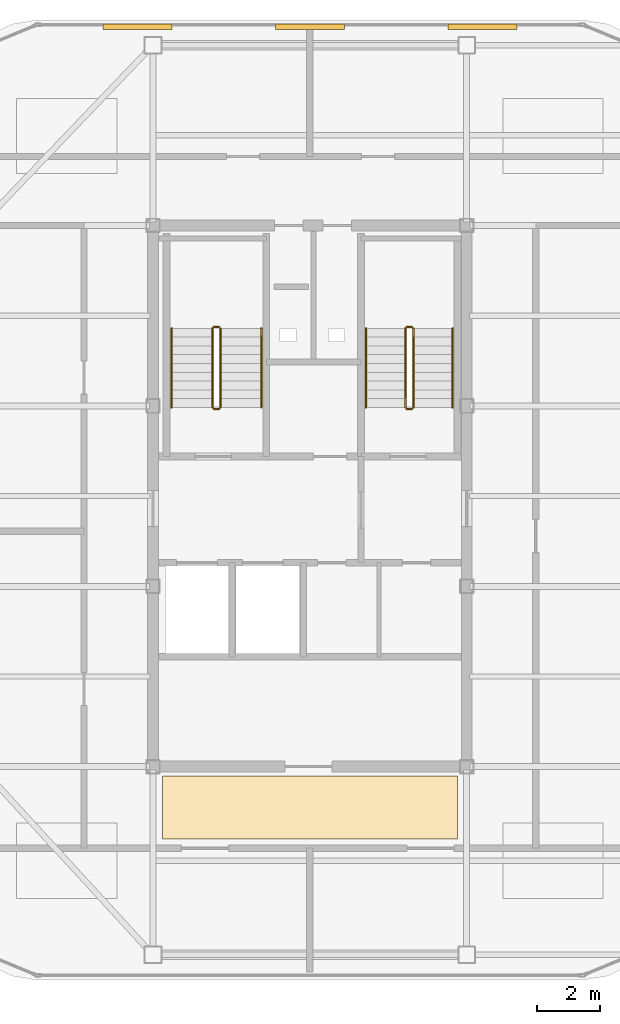
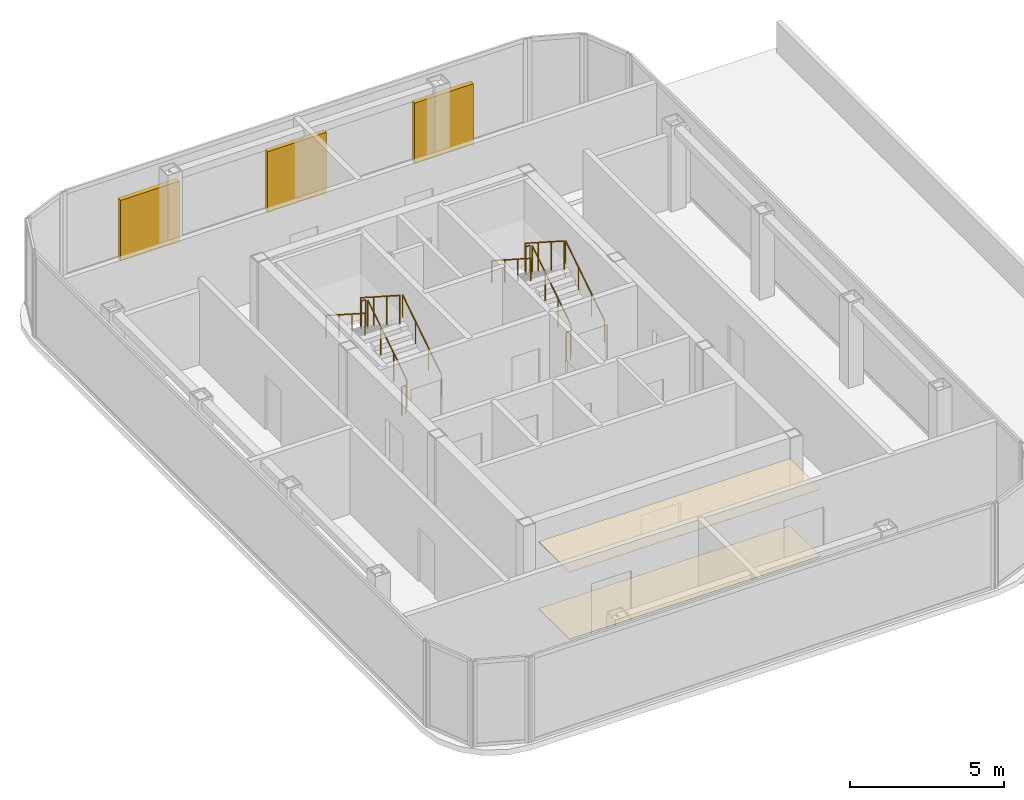
# One storey, part 11 of 11: 12 railings, 3 shading devices, 2 coverings.
"""IFC4 building model written with IfcOpenShell, lengths in metres."""

from ifc_helpers import new_model, si_unit, direction, frame, origin, origin_2d, place, context, subcontext, project, spatial, polyline, rectangle, circle, outline, extrude, source, transform, mapped, material, layer, layer_set, type_object, element, save


model = new_model("IFC4")

# Units and contexts
model_context = context("Model", 3, precision=1e-05, world=origin(), true_north=direction((0.0, 1.0)))
body_context = subcontext(model_context, "Body", "Model", "MODEL_VIEW")
ifc_project = project(units=[si_unit("LENGTHUNIT", "METRE"), si_unit("AREAUNIT", "SQUARE_METRE"), si_unit("VOLUMEUNIT", "CUBIC_METRE"), si_unit("PLANEANGLEUNIT", "RADIAN"), si_unit("MASSUNIT", "GRAM", prefix="KILO")], contexts=[model_context])

# Site, building, storey
site_placement = place(None, origin())
site = spatial("IfcSite", under=ifc_project, at=site_placement, CompositionType="ELEMENT")
building_placement = place(site_placement, origin())
building = spatial("IfcBuilding", under=site, at=building_placement, Name="Kolveth Station Tower", CompositionType="ELEMENT")
storey_placement = place(building_placement, frame((0.0, 0.0, 285.699951171875)))
storey = spatial("IfcBuildingStorey", under=building, at=storey_placement, Name="L82", CompositionType="ELEMENT", Elevation=285.699951171875)

# Coverings
ifc_material_1 = material(Name="Acoustic mineral-fibre ceiling tile")
ifc_layer_1 = layer(ifc_material_1, 0.02490234375)
ifc_layer_set_1 = layer_set([ifc_layer_1], Name="Acoustic mineral-fibre ceiling tile")
covering_type_1 = type_object("IfcCoveringType", Name="Ceil_CL1", PredefinedType="CEILING", material=ifc_layer_set_1)
covering_1_placement = place(storey_placement, frame((0.0, 0.0, 2.650146484375)))
element("IfcCovering", 1, at=covering_1_placement, inside=storey, type_object=covering_type_1, Name="L82 Lift Lobby Suspended Ceiling", PredefinedType="CEILING", context=body_context, shape_type="SweptSolid", body=[
    extrude(outline(polyline([(18.800048828125, 9.199951171875), (28.199951171875, 9.199951171875), (28.199951171875, 11.199951171875), (18.800048828125, 11.199951171875), (18.800048828125, 9.199951171875)])), origin(), (0.0, 0.0, 1.0), 0.02490234375),
])
ifc_material_2 = material(Name="Honed terrazzo flooring")
ifc_layer_2 = layer(ifc_material_2, 0.02001953125)
ifc_layer_set_2 = layer_set([ifc_layer_2], Name="Honed terrazzo flooring")
covering_type_2 = type_object("IfcCoveringType", Name="Floor_FL1", PredefinedType="FLOORING", material=ifc_layer_set_2)
covering_2_placement = place(storey_placement, origin())
element("IfcCovering", 2, at=covering_2_placement, inside=storey, type_object=covering_type_2, Name="L82 Lift Lobby Floor Finish", PredefinedType="FLOORING", context=body_context, shape_type="SweptSolid", body=[
    extrude(outline(polyline([(18.800048828125, 9.199951171875), (28.199951171875, 9.199951171875), (28.199951171875, 11.199951171875), (18.800048828125, 11.199951171875), (18.800048828125, 9.199951171875)])), origin(), (0.0, 0.0, 1.0), 0.02001953125),
])

# Railings
ifc_material_3 = material(Name="Painted Steel S355 balustrade", Category="steel")
railing_type_1 = type_object("IfcRailingType", Name="Guard_GR2", PredefinedType="BALUSTRADE", material=ifc_material_3)
railing_1_placement = place(storey_placement, frame((20.64990234375, 22.949951171875, 0.179931640625)))
element("IfcRailing", 3, at=railing_1_placement, inside=storey, type_object=railing_type_1, Name="L82 ST1 stair guard 1", PredefinedType="BALUSTRADE", context=body_context, shape_type="SweptSolid", body=[
    extrude(circle(Radius=0.02392578125, at=origin_2d()), frame((0.0, 0.0, 1.1259765625), z_axis=(0.0, 0.841162588446, 0.540782303519), x_axis=(-1.0, 0.0, 0.0)), (0.0, 0.0, 1.0), 2.995849609375),
    extrude(circle(Radius=0.02099609375, at=origin_2d()), origin(), (0.0, 0.0, 1.0), 1.101806640625),
    extrude(circle(Radius=0.02099609375, at=origin_2d()), frame((0.0, 0.840087890625, 0.5400390625)), (0.0, 0.0, 1.0), 1.101806640625),
    extrude(circle(Radius=0.02099609375, at=origin_2d()), frame((0.0, 1.679931640625, 1.080078125)), (0.0, 0.0, 1.0), 1.101806640625),
    extrude(circle(Radius=0.02099609375, at=origin_2d()), frame((0.0, 2.52001953125, 1.6201171875)), (0.0, 0.0, 1.0), 1.101806640625),
])
railing_2_placement = place(storey_placement, frame((20.60009765625, 25.52001953125, 1.800048828125)))
element("IfcRailing", 4, at=railing_2_placement, inside=storey, type_object=railing_type_1, Name="L82 ST1 stair guard 2", PredefinedType="BALUSTRADE", context=body_context, shape_type="SweptSolid", body=[
    extrude(circle(Radius=0.02392578125, at=origin_2d()), frame((0.0, 0.0, 1.1259765625), z_axis=(-1.0, 0.0, 0.0), x_axis=(0.0, -1.0, 0.0)), (0.0, 0.0, 1.0), 0.16015625),
    extrude(circle(Radius=0.02099609375, at=origin_2d()), origin(), (0.0, 0.0, 1.0), 1.101806640625),
    extrude(circle(Radius=0.02099609375, at=origin_2d()), frame((-0.16015625, 0.0, 0.0)), (0.0, 0.0, 1.0), 1.101806640625),
])
railing_3_placement = place(storey_placement, frame((20.389892578125, 25.469970703125, 1.97998046875)))
element("IfcRailing", 5, at=railing_3_placement, inside=storey, type_object=railing_type_1, Name="L82 ST1 stair guard 3", PredefinedType="BALUSTRADE", context=body_context, shape_type="SweptSolid", body=[
    extrude(circle(Radius=0.02392578125, at=origin_2d()), frame((0.0, 0.0, 1.1259765625), z_axis=(0.0, -0.841162588446, 0.540782303519), x_axis=(1.0, 0.0, 0.0)), (0.0, 0.0, 1.0), 2.995849609375),
    extrude(circle(Radius=0.02099609375, at=origin_2d()), origin(), (0.0, 0.0, 1.0), 1.101806640625),
    extrude(circle(Radius=0.02099609375, at=origin_2d()), frame((0.0, -0.840087890625, 0.5400390625)), (0.0, 0.0, 1.0), 1.101806640625),
    extrude(circle(Radius=0.02099609375, at=origin_2d()), frame((0.0, -1.679931640625, 1.080078125)), (0.0, 0.0, 1.0), 1.101806640625),
    extrude(circle(Radius=0.02099609375, at=origin_2d()), frame((0.0, -2.52001953125, 1.6201171875)), (0.0, 0.0, 1.0), 1.101806640625),
])
railing_4_placement = place(storey_placement, frame((20.60009765625, 22.89990234375, 0.0)))
element("IfcRailing", 6, at=railing_4_placement, inside=storey, type_object=railing_type_1, Name="L82 ST1 stair guard 4", PredefinedType="BALUSTRADE", context=body_context, shape_type="SweptSolid", body=[
    extrude(circle(Radius=0.02392578125, at=origin_2d()), frame((0.0, 0.0, 1.1259765625), z_axis=(-1.0, 0.0, 0.0), x_axis=(0.0, -1.0, 0.0)), (0.0, 0.0, 1.0), 0.16015625),
    extrude(circle(Radius=0.02099609375, at=origin_2d()), origin(), (0.0, 0.0, 1.0), 1.101806640625),
    extrude(circle(Radius=0.02099609375, at=origin_2d()), frame((-0.16015625, 0.0, 0.0)), (0.0, 0.0, 1.0), 1.101806640625),
])
railing_5_placement = place(storey_placement, frame((26.800048828125, 22.949951171875, 0.179931640625)))
element("IfcRailing", 7, at=railing_5_placement, inside=storey, type_object=railing_type_1, Name="L82 ST2 stair guard 1", PredefinedType="BALUSTRADE", context=body_context, shape_type="SweptSolid", body=[
    extrude(circle(Radius=0.02392578125, at=origin_2d()), frame((0.0, 0.0, 1.1259765625), z_axis=(0.0, 0.841162588446, 0.540782303519), x_axis=(-1.0, 0.0, 0.0)), (0.0, 0.0, 1.0), 2.995849609375),
    extrude(circle(Radius=0.02099609375, at=origin_2d()), origin(), (0.0, 0.0, 1.0), 1.101806640625),
    extrude(circle(Radius=0.02099609375, at=origin_2d()), frame((0.0, 0.840087890625, 0.5400390625)), (0.0, 0.0, 1.0), 1.101806640625),
    extrude(circle(Radius=0.02099609375, at=origin_2d()), frame((0.0, 1.679931640625, 1.080078125)), (0.0, 0.0, 1.0), 1.101806640625),
    extrude(circle(Radius=0.02099609375, at=origin_2d()), frame((0.0, 2.52001953125, 1.6201171875)), (0.0, 0.0, 1.0), 1.101806640625),
])
railing_6_placement = place(storey_placement, frame((26.75, 25.52001953125, 1.800048828125)))
element("IfcRailing", 8, at=railing_6_placement, inside=storey, type_object=railing_type_1, Name="L82 ST2 stair guard 2", PredefinedType="BALUSTRADE", context=body_context, shape_type="SweptSolid", body=[
    extrude(circle(Radius=0.02392578125, at=origin_2d()), frame((0.0, 0.0, 1.1259765625), z_axis=(-1.0, 0.0, 0.0), x_axis=(0.0, -1.0, 0.0)), (0.0, 0.0, 1.0), 0.159912109375),
    extrude(circle(Radius=0.02099609375, at=origin_2d()), origin(), (0.0, 0.0, 1.0), 1.101806640625),
    extrude(circle(Radius=0.02099609375, at=origin_2d()), frame((-0.159912109375, 0.0, 0.0)), (0.0, 0.0, 1.0), 1.101806640625),
])
railing_7_placement = place(storey_placement, frame((26.5400390625, 25.469970703125, 1.97998046875)))
element("IfcRailing", 9, at=railing_7_placement, inside=storey, type_object=railing_type_1, Name="L82 ST2 stair guard 3", PredefinedType="BALUSTRADE", context=body_context, shape_type="SweptSolid", body=[
    extrude(circle(Radius=0.02392578125, at=origin_2d()), frame((0.0, 0.0, 1.1259765625), z_axis=(0.0, -0.841162588446, 0.540782303519), x_axis=(1.0, 0.0, 0.0)), (0.0, 0.0, 1.0), 2.995849609375),
    extrude(circle(Radius=0.02099609375, at=origin_2d()), origin(), (0.0, 0.0, 1.0), 1.101806640625),
    extrude(circle(Radius=0.02099609375, at=origin_2d()), frame((0.0, -0.840087890625, 0.5400390625)), (0.0, 0.0, 1.0), 1.101806640625),
    extrude(circle(Radius=0.02099609375, at=origin_2d()), frame((0.0, -1.679931640625, 1.080078125)), (0.0, 0.0, 1.0), 1.101806640625),
    extrude(circle(Radius=0.02099609375, at=origin_2d()), frame((0.0, -2.52001953125, 1.6201171875)), (0.0, 0.0, 1.0), 1.101806640625),
])
railing_8_placement = place(storey_placement, frame((26.75, 22.89990234375, 0.0)))
element("IfcRailing", 10, at=railing_8_placement, inside=storey, type_object=railing_type_1, Name="L82 ST2 stair guard 4", PredefinedType="BALUSTRADE", context=body_context, shape_type="SweptSolid", body=[
    extrude(circle(Radius=0.02392578125, at=origin_2d()), frame((0.0, 0.0, 1.1259765625), z_axis=(-1.0, 0.0, 0.0), x_axis=(0.0, -1.0, 0.0)), (0.0, 0.0, 1.0), 0.159912109375),
    extrude(circle(Radius=0.02099609375, at=origin_2d()), origin(), (0.0, 0.0, 1.0), 1.101806640625),
    extrude(circle(Radius=0.02099609375, at=origin_2d()), frame((-0.159912109375, 0.0, 0.0)), (0.0, 0.0, 1.0), 1.101806640625),
])
ifc_material_4 = material(Name="Brushed stainless steel", Category="steel")
railing_type_2 = type_object("IfcRailingType", Name="Handrail_HR1", PredefinedType="HANDRAIL", material=ifc_material_4)
railing_9_placement = place(storey_placement, frame((21.949951171875, 22.949951171875, 0.179931640625)))
element("IfcRailing", 11, at=railing_9_placement, inside=storey, type_object=railing_type_2, Name="L82 ST1 stair handrail 1", PredefinedType="HANDRAIL", context=body_context, shape_type="SweptSolid", body=[
    extrude(circle(Radius=0.02392578125, at=origin_2d()), frame((0.0, 0.0, 0.8759765625), z_axis=(0.0, 0.841162588446, 0.540782303519), x_axis=(-1.0, 0.0, 0.0)), (0.0, 0.0, 1.0), 2.995849609375),
    extrude(circle(Radius=0.02099609375, at=origin_2d()), origin(), (0.0, 0.0, 1.0), 0.851806640625),
    extrude(circle(Radius=0.02099609375, at=origin_2d()), frame((0.0, 0.840087890625, 0.5400390625)), (0.0, 0.0, 1.0), 0.851806640625),
    extrude(circle(Radius=0.02099609375, at=origin_2d()), frame((0.0, 1.679931640625, 1.080078125)), (0.0, 0.0, 1.0), 0.851806640625),
    extrude(circle(Radius=0.02099609375, at=origin_2d()), frame((0.0, 2.52001953125, 1.6201171875)), (0.0, 0.0, 1.0), 0.851806640625),
])
railing_10_placement = place(storey_placement, frame((19.090087890625, 25.469970703125, 1.97998046875)))
element("IfcRailing", 12, at=railing_10_placement, inside=storey, type_object=railing_type_2, Name="L82 ST1 stair handrail 2", PredefinedType="HANDRAIL", context=body_context, shape_type="SweptSolid", body=[
    extrude(circle(Radius=0.02392578125, at=origin_2d()), frame((0.0, 0.0, 0.8759765625), z_axis=(0.0, -0.841162588446, 0.540782303519), x_axis=(1.0, 0.0, 0.0)), (0.0, 0.0, 1.0), 2.995849609375),
    extrude(circle(Radius=0.02099609375, at=origin_2d()), origin(), (0.0, 0.0, 1.0), 0.851806640625),
    extrude(circle(Radius=0.02099609375, at=origin_2d()), frame((0.0, -0.840087890625, 0.5400390625)), (0.0, 0.0, 1.0), 0.851806640625),
    extrude(circle(Radius=0.02099609375, at=origin_2d()), frame((0.0, -1.679931640625, 1.080078125)), (0.0, 0.0, 1.0), 0.851806640625),
    extrude(circle(Radius=0.02099609375, at=origin_2d()), frame((0.0, -2.52001953125, 1.6201171875)), (0.0, 0.0, 1.0), 0.851806640625),
])
railing_11_placement = place(storey_placement, frame((28.050048828125, 22.949951171875, 0.179931640625)))
element("IfcRailing", 13, at=railing_11_placement, inside=storey, type_object=railing_type_2, Name="L82 ST2 stair handrail 1", PredefinedType="HANDRAIL", context=body_context, shape_type="SweptSolid", body=[
    extrude(circle(Radius=0.02392578125, at=origin_2d()), frame((0.0, 0.0, 0.8759765625), z_axis=(0.0, 0.841162588446, 0.540782303519), x_axis=(-1.0, 0.0, 0.0)), (0.0, 0.0, 1.0), 2.995849609375),
    extrude(circle(Radius=0.02099609375, at=origin_2d()), origin(), (0.0, 0.0, 1.0), 0.851806640625),
    extrude(circle(Radius=0.02099609375, at=origin_2d()), frame((0.0, 0.840087890625, 0.5400390625)), (0.0, 0.0, 1.0), 0.851806640625),
    extrude(circle(Radius=0.02099609375, at=origin_2d()), frame((0.0, 1.679931640625, 1.080078125)), (0.0, 0.0, 1.0), 0.851806640625),
    extrude(circle(Radius=0.02099609375, at=origin_2d()), frame((0.0, 2.52001953125, 1.6201171875)), (0.0, 0.0, 1.0), 0.851806640625),
])
railing_12_placement = place(storey_placement, frame((25.2900390625, 25.469970703125, 1.97998046875)))
element("IfcRailing", 14, at=railing_12_placement, inside=storey, type_object=railing_type_2, Name="L82 ST2 stair handrail 2", PredefinedType="HANDRAIL", context=body_context, shape_type="SweptSolid", body=[
    extrude(circle(Radius=0.02392578125, at=origin_2d()), frame((0.0, 0.0, 0.8759765625), z_axis=(0.0, -0.841162588446, 0.540782303519), x_axis=(1.0, 0.0, 0.0)), (0.0, 0.0, 1.0), 2.995849609375),
    extrude(circle(Radius=0.02099609375, at=origin_2d()), origin(), (0.0, 0.0, 1.0), 0.851806640625),
    extrude(circle(Radius=0.02099609375, at=origin_2d()), frame((0.0, -0.840087890625, 0.5400390625)), (0.0, 0.0, 1.0), 0.851806640625),
    extrude(circle(Radius=0.02099609375, at=origin_2d()), frame((0.0, -1.679931640625, 1.080078125)), (0.0, 0.0, 1.0), 0.851806640625),
    extrude(circle(Radius=0.02099609375, at=origin_2d()), frame((0.0, -2.52001953125, 1.6201171875)), (0.0, 0.0, 1.0), 0.851806640625),
])

# Shading devices
ifc_material_5 = material(Name="Black anodized aluminium 6063-T6", Category="aluminium")
shading_device_type = type_object("IfcShadingDeviceType", Name="Louvre_LV1", PredefinedType="JALOUSIE", material=ifc_material_5)
shared_shape = source(origin(), body_context, "Body", "SweptSolid", [
    extrude(rectangle(XDim=2.199951171875, YDim=0.179931640625, at=origin_2d()), origin(), (0.0, 0.0, 1.0), 2.39990234375),
])
for number, where, z_axis, x_axis, name in (
    (15, (18.0, 35.080078125, 0.0), (0.0, 0.0, 1.0), (1.0, 0.0, 0.0), "L82 Crown Plant Louvre 1"),
    (16, (23.5, 35.080078125, 0.0), (0.0, 0.0, 1.0), (1.0, 0.0, 0.0), "L82 Crown Plant Louvre 2"),
    (17, (29.0, 35.080078125, 0.0), (0.0, 0.0, 1.0), (1.0, 0.0, 0.0), "L82 Crown Plant Louvre 3"),
):
    element("IfcShadingDevice", number, at=place(storey_placement, frame(where, z_axis=z_axis, x_axis=x_axis)), inside=storey, type_object=shading_device_type, Name=name, PredefinedType="JALOUSIE", context=body_context, shape_type="MappedRepresentation", body=[
        mapped(shared_shape, transform((0.0, 0.0, 0.0), x_axis=(1.0, 0.0, 0.0), y_axis=(0.0, 1.0, 0.0), z_axis=(0.0, 0.0, 1.0), scale=1.0)),
    ])

save(model, "model.ifc")
